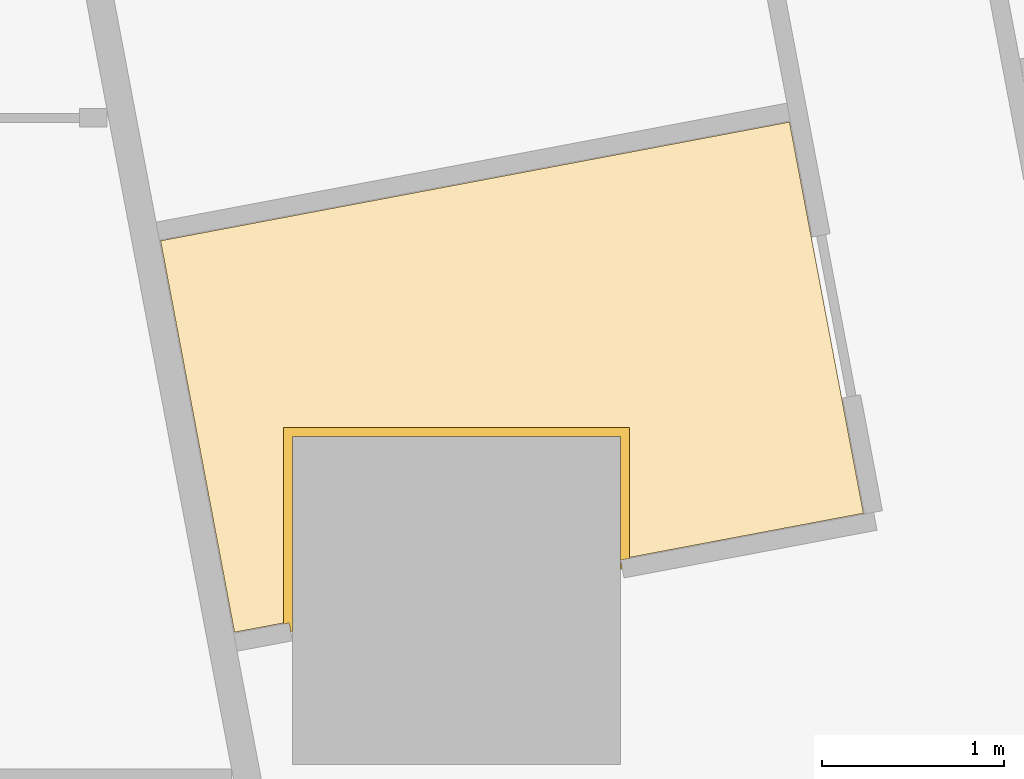
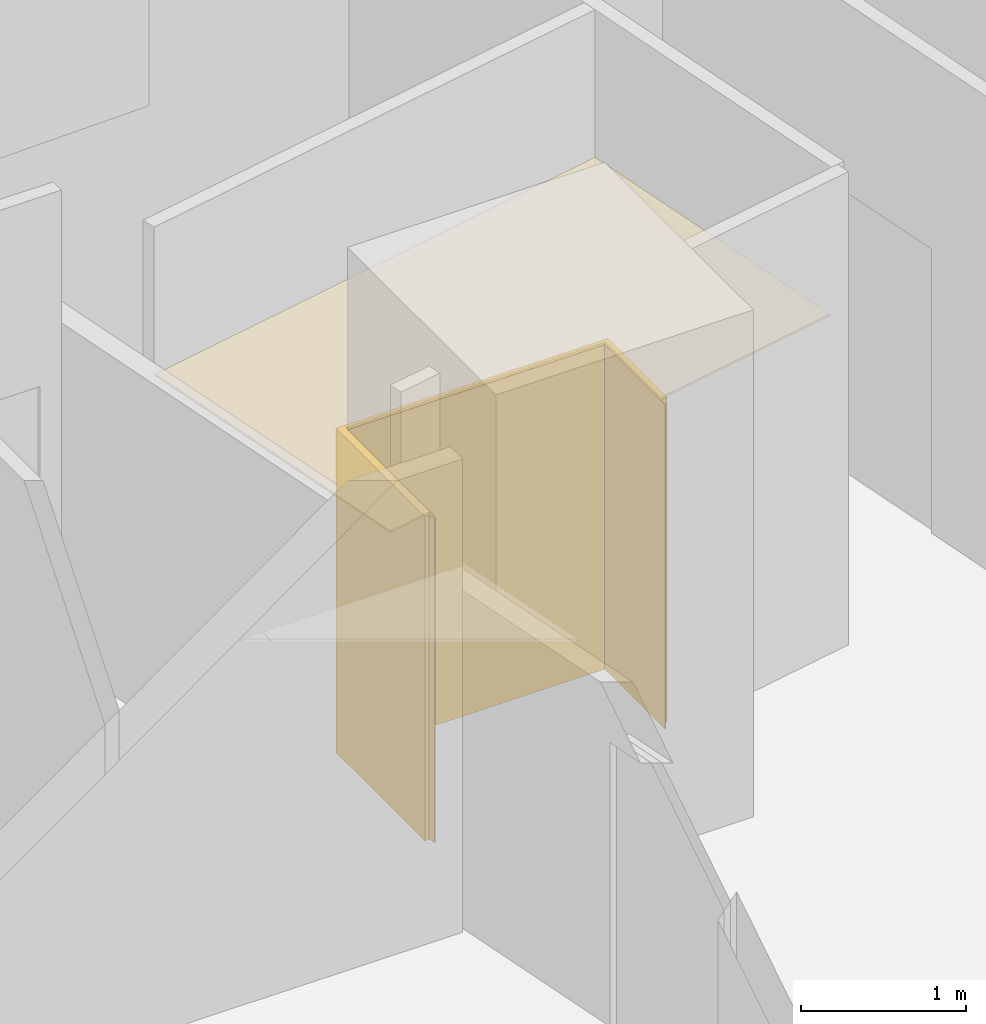
# One storey, part 18 of 18: 2 coverings.
"""IFC4 building model written with IfcOpenShell, lengths in metres."""

from ifc_helpers import new_model, si_unit, direction, frame, origin, place, context, subcontext, project, spatial, polyline, outline, extrude, material, layer, layer_set, type_object, element, save


model = new_model("IFC4")

# Units and contexts
model_context = context("Model", 3, precision=1e-05, world=origin(), true_north=direction((0.0, 1.0)))
body_context = subcontext(model_context, "Body", "Model", "MODEL_VIEW")
ifc_project = project(units=[si_unit("LENGTHUNIT", "METRE"), si_unit("AREAUNIT", "SQUARE_METRE"), si_unit("VOLUMEUNIT", "CUBIC_METRE"), si_unit("PLANEANGLEUNIT", "RADIAN"), si_unit("MASSUNIT", "GRAM", prefix="KILO")], contexts=[model_context])

# Site, building, storey
site_placement = place(None, origin())
site = spatial("IfcSite", under=ifc_project, at=site_placement, CompositionType="ELEMENT")
building_placement = place(site_placement, origin())
building = spatial("IfcBuilding", under=site, at=building_placement, Name="Sheger Commons Tower", CompositionType="ELEMENT")
storey_placement = place(building_placement, frame((0.0, 0.0, 20.0)))
storey = spatial("IfcBuildingStorey", under=building, at=storey_placement, Name="L04", CompositionType="ELEMENT", Elevation=20.0)

# Coverings
ifc_material_1 = material(Name="Moisture-resistant gypsum plasterboard 15 mm on a suspended galvanised steel grid", Category="steel")
ifc_layer_1 = layer(ifc_material_1, 0.014892578125)
ifc_layer_set_1 = layer_set([ifc_layer_1], Name="MOISTURE-RESISTANT CEILING 15")
covering_type_1 = type_object("IfcCoveringType", Name="MOISTURE-RESISTANT CEILING 15", PredefinedType="CEILING", material=ifc_layer_set_1)
covering_1_placement = place(storey_placement, frame((0.0, 0.0, 2.39990234375)))
element("IfcCovering", 1, at=covering_1_placement, inside=storey, type_object=covering_type_1, Name="L04-09.B1 ceiling", PredefinedType="CEILING", context=body_context, shape_type="SweptSolid", body=[
    extrude(outline(polyline([(34.781005859375, 37.325927734375), (35.0849609375, 37.383056640625), (35.093017578125, 37.340087890625), (35.094970703125, 37.340087890625), (35.094970703125, 38.405029296875), (36.905029296875, 38.405029296875), (36.905029296875, 37.72802734375), (38.23388671875, 37.97900390625), (37.827880859375, 40.126953125), (34.375, 39.47509765625), (34.781005859375, 37.325927734375)])), origin(), (0.0, 0.0, 1.0), 0.01513671875),
])
ifc_material_2 = material(Name="Moisture-resistant gypsum board 12.5 mm on 25 mm treated timber battens, tanked and tiled", Category="wood")
ifc_layer_2 = layer(ifc_material_2, 0.050048828125)
ifc_layer_set_2 = layer_set([ifc_layer_2], Name="WET-ROOM COLUMN LINING")
covering_type_2 = type_object("IfcCoveringType", Name="WET-ROOM COLUMN LINING", PredefinedType="CLADDING", material=ifc_layer_set_2)
covering_2_placement = place(storey_placement, origin())
element("IfcCovering", 2, at=covering_2_placement, inside=storey, type_object=covering_type_2, Name="Bathroom column lining C8 L04", PredefinedType="CLADDING", context=body_context, shape_type="SweptSolid", body=[
    extrude(outline(polyline([(36.949951171875, 38.449951171875), (36.949951171875, 37.73095703125), (36.90087890625, 37.721923828125), (36.909912109375, 37.673095703125), (36.89990234375, 37.6708984375), (36.89990234375, 38.39990234375), (35.10009765625, 38.39990234375), (35.10009765625, 37.330078125), (35.090087890625, 37.327880859375), (35.0810546875, 37.376953125), (35.050048828125, 37.37109375), (35.050048828125, 38.449951171875), (36.949951171875, 38.449951171875)])), origin(), (0.0, 0.0, 1.0), 2.39990234375),
])

save(model, "model.ifc")
